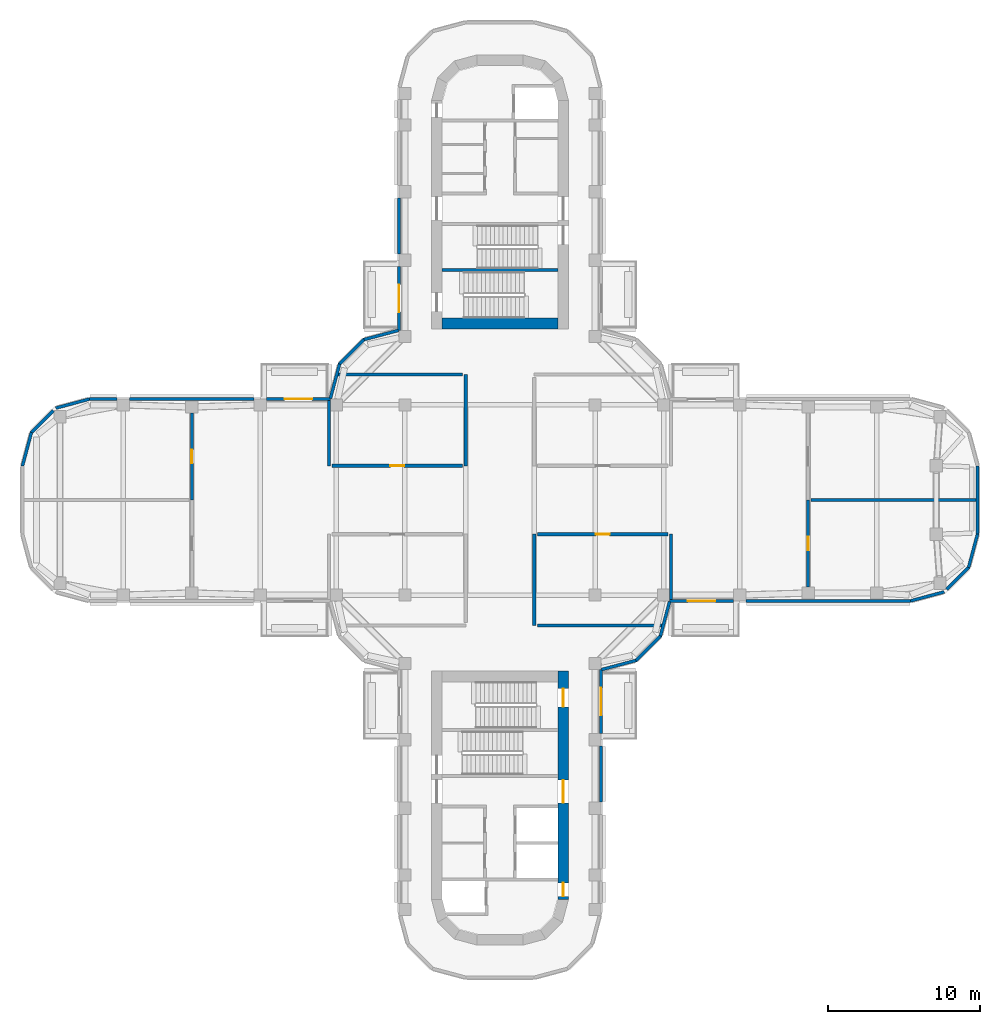
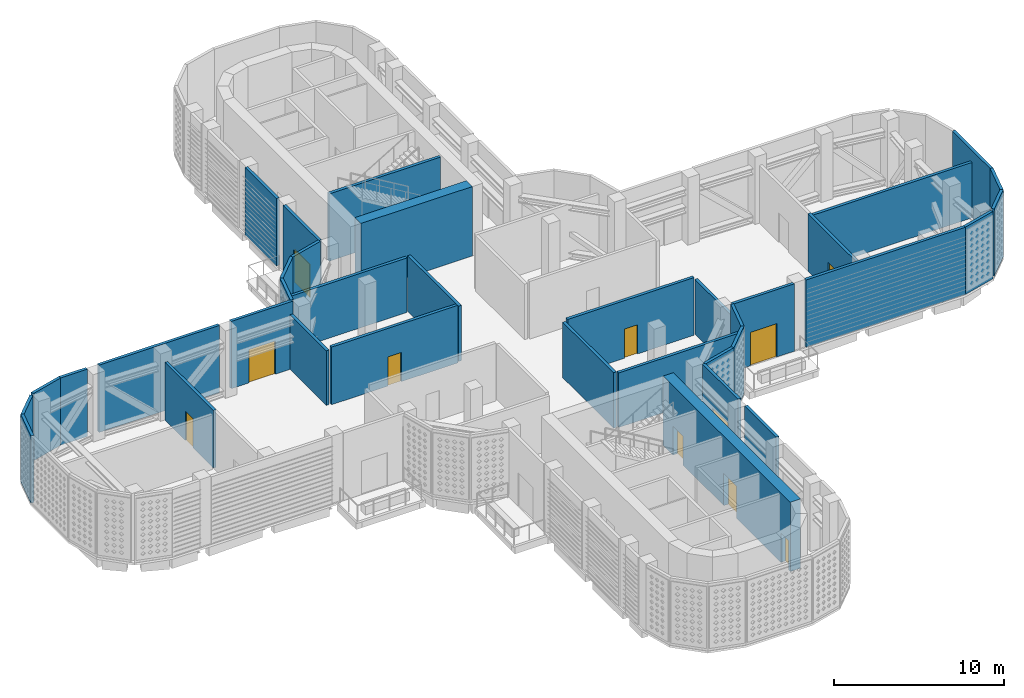
# One storey, part 6 of 21: 36 walls, 11 doors, 11 openings.
"""IFC4 building model written with IfcOpenShell, lengths in metres."""

from ifc_helpers import new_model, si_unit, direction, frame, frame_2d, origin, place, context, subcontext, project, spatial, polyline, rectangle, outline, extrude, material, layer, layer_set, type_object, element, fill, save


model = new_model("IFC4")

# Units and contexts
model_context = context("Model", 3, precision=1e-05, world=origin(), true_north=direction((0.0, 1.0)))
body_context = subcontext(model_context, "Body", "Model", "MODEL_VIEW")
ifc_project = project(units=[si_unit("LENGTHUNIT", "METRE"), si_unit("AREAUNIT", "SQUARE_METRE"), si_unit("VOLUMEUNIT", "CUBIC_METRE"), si_unit("PLANEANGLEUNIT", "RADIAN"), si_unit("MASSUNIT", "GRAM", prefix="KILO")], contexts=[model_context])

# Site, building, storey
site_placement = place(None, origin())
site = spatial("IfcSite", under=ifc_project, at=site_placement, CompositionType="ELEMENT")
building_placement = place(site_placement, origin())
building = spatial("IfcBuilding", under=site, at=building_placement, Name="Zarbagh Exchange Tower", CompositionType="ELEMENT")
storey_placement = place(building_placement, frame((0.0, 0.0, 190.39990234375)))
storey = spatial("IfcBuildingStorey", under=building, at=storey_placement, Name="L46", CompositionType="ELEMENT", Elevation=190.39990234375)

# Walls
ifc_material_1 = material(Name="Concrete block partition", Category="concrete")
ifc_layer_1 = layer(ifc_material_1, 0.199951171875)
ifc_layer_set_1 = layer_set([ifc_layer_1], Name="Fire-rated block partition 200 EI 120")
wall_type_1 = type_object("IfcWallType", Name="Fire-rated block partition 200 EI 120", PredefinedType="PARTITIONING", material=ifc_layer_set_1)
wall_1_placement = place(storey_placement, frame((31.5, 0.0, 0.0), z_axis=(0.0, 0.0, 1.0), x_axis=(-1.0, 0.0, 0.0)))
element("IfcWall", 1, at=wall_1_placement, inside=storey, type_object=wall_type_1, Name="WL-L46-W019", PredefinedType="PARTITIONING", context=body_context, shape_type="SweptSolid", body=[
    extrude(rectangle(XDim=11.050048828125, YDim=0.199951171875, at=frame_2d((5.52490234375, 0.0))), origin(), (0.0, 0.0, 1.0), 3.994384765625),
])
ifc_layer_2 = layer(ifc_material_1, 0.199951171875)
ifc_layer_set_2 = layer_set([ifc_layer_2], Name="Fire-rated block partition 200 EI 60")
wall_type_2 = type_object("IfcWallType", Name="Fire-rated block partition 200 EI 60", PredefinedType="PARTITIONING", material=ifc_layer_set_2)
wall_2_placement = place(storey_placement, frame((2.25, -2.25, 0.0), z_axis=(0.0, 0.0, 1.0), x_axis=(0.0, -1.0, 0.0)))
element("IfcWall", 2, at=wall_2_placement, inside=storey, type_object=wall_type_2, Name="WL-L46-W003", PredefinedType="PARTITIONING", context=body_context, shape_type="SweptSolid", body=[
    extrude(rectangle(XDim=6.0, YDim=0.199951171875, at=frame_2d((3.0, 0.0))), origin(), (0.0, 0.0, 1.0), 3.994384765625),
])
wall_3_placement = place(storey_placement, frame((2.449951171875, -8.25, 0.0), z_axis=(0.0, 0.0, 1.0), x_axis=(1.0, 0.0, 0.0)))
element("IfcWall", 3, at=wall_3_placement, inside=storey, type_object=wall_type_2, Name="WL-L46-W004", PredefinedType="PARTITIONING", context=body_context, shape_type="SweptSolid", body=[
    extrude(rectangle(XDim=8.398193359375, YDim=0.199951171875, at=frame_2d((4.19921875, 0.0))), origin(), (0.0, 0.0, 1.0), 3.93017578125),
])
wall_4_placement = place(storey_placement, frame((-2.25, 2.25, 0.0), z_axis=(0.0, 0.0, 1.0), x_axis=(0.0, 1.0, 0.0)))
element("IfcWall", 4, at=wall_4_placement, inside=storey, type_object=wall_type_2, Name="WL-L46-W005", PredefinedType="PARTITIONING", context=body_context, shape_type="SweptSolid", body=[
    extrude(rectangle(XDim=6.0, YDim=0.199951171875, at=frame_2d((3.0, 0.0))), origin(), (0.0, 0.0, 1.0), 3.994384765625),
])
wall_5_placement = place(storey_placement, frame((-2.449951171875, 8.25, 0.0), z_axis=(0.0, 0.0, 1.0), x_axis=(-1.0, 0.0, 0.0)))
element("IfcWall", 5, at=wall_5_placement, inside=storey, type_object=wall_type_2, Name="WL-L46-W006", PredefinedType="PARTITIONING", context=body_context, shape_type="SweptSolid", body=[
    extrude(rectangle(XDim=8.398193359375, YDim=0.199951171875, at=frame_2d((4.19921875, 0.0))), origin(), (0.0, 0.0, 1.0), 3.93017578125),
])
wall_6_placement = place(storey_placement, frame((11.25, -2.25, 0.0), z_axis=(0.0, 0.0, 1.0), x_axis=(0.0, -1.0, 0.0)))
element("IfcWall", 6, at=wall_6_placement, inside=storey, type_object=wall_type_2, Name="WL-L46-W011", PredefinedType="PARTITIONING", context=body_context, shape_type="SweptSolid", body=[
    extrude(rectangle(XDim=4.5, YDim=0.199951171875, at=frame_2d((2.25, 0.0))), origin(), (0.0, 0.0, 1.0), 3.93017578125),
])

# Wall, opening, door
wall_7_placement = place(storey_placement, frame((11.050048828125, -2.25, 0.0), z_axis=(0.0, 0.0, 1.0), x_axis=(-1.0, 0.0, 0.0)))
wall_7 = element("IfcWall", 7, at=wall_7_placement, inside=storey, type_object=wall_type_2, Name="WL-L46-W012", PredefinedType="PARTITIONING", context=body_context, shape_type="SweptSolid", body=[
    extrude(rectangle(XDim=8.60009765625, YDim=0.199951171875, at=frame_2d((4.300048828125, 0.0))), origin(), (0.0, 0.0, 1.0), 4.15185546875),
])
opening_1_placement = place(wall_7_placement, frame((3.85009765625, 0.0, 0.0)))
opening_1 = element("IfcOpeningElement", 8, at=opening_1_placement, cuts=wall_7, Name="Opening D02", PredefinedType="OPENING", context=body_context, shape_type="SweptSolid", body=[
    extrude(rectangle(XDim=0.89990234375, YDim=2.10009765625, at=frame_2d((0.449951171875, 1.050048828125))), frame((0.0, 0.10986328125, 0.0), z_axis=(0.0, -1.0, 0.0), x_axis=(1.0, 0.0, 0.0)), (0.0, 0.0, 1.0), 0.219970703125),
])
ifc_material_2 = material(Name="Steel door set", Category="steel")
door_type_1 = type_object("IfcDoorType", Name="Door single 900x2100 EI 60", OperationType="SINGLE_SWING_LEFT", PredefinedType="DOOR", material=ifc_material_2)
door_1_placement = place(opening_1_placement, origin())
door_1 = element("IfcDoor", 9, at=door_1_placement, inside=storey, type_object=door_type_1, Name="D02", OperationType="SINGLE_SWING_LEFT", OverallHeight=2.10009765625, OverallWidth=0.89990234375, PredefinedType="DOOR", context=body_context, shape_type="SweptSolid", body=[
    extrude(rectangle(XDim=0.89990234375, YDim=2.10009765625, at=frame_2d((0.449951171875, 1.050048828125))), frame((0.0, 0.02490234375, 0.0), z_axis=(0.0, -1.0, 0.0), x_axis=(1.0, 0.0, 0.0)), (0.0, 0.0, 1.0), 0.050048828125),
])
fill(opening_1, door_1)

# Wall
wall_8_placement = place(storey_placement, frame((-11.25, 2.25, 0.0), z_axis=(0.0, 0.0, 1.0), x_axis=(0.0, 1.0, 0.0)))
element("IfcWall", 10, at=wall_8_placement, inside=storey, type_object=wall_type_2, Name="WL-L46-W013", PredefinedType="PARTITIONING", context=body_context, shape_type="SweptSolid", body=[
    extrude(rectangle(XDim=4.5, YDim=0.199951171875, at=frame_2d((2.25, 0.0))), origin(), (0.0, 0.0, 1.0), 3.93017578125),
])

# Wall, opening, door
wall_9_placement = place(storey_placement, frame((-11.050048828125, 2.25, 0.0), z_axis=(0.0, 0.0, 1.0), x_axis=(1.0, 0.0, 0.0)))
wall_9 = element("IfcWall", 11, at=wall_9_placement, inside=storey, type_object=wall_type_2, Name="WL-L46-W014", PredefinedType="PARTITIONING", context=body_context, shape_type="SweptSolid", body=[
    extrude(rectangle(XDim=8.60009765625, YDim=0.199951171875, at=frame_2d((4.300048828125, 0.0))), origin(), (0.0, 0.0, 1.0), 4.15185546875),
])
opening_2_placement = place(wall_9_placement, frame((3.85009765625, 0.0, 0.0)))
opening_2 = element("IfcOpeningElement", 12, at=opening_2_placement, cuts=wall_9, Name="Opening D03", PredefinedType="OPENING", context=body_context, shape_type="SweptSolid", body=[
    extrude(rectangle(XDim=0.89990234375, YDim=2.10009765625, at=frame_2d((0.449951171875, 1.050048828125))), frame((0.0, 0.10986328125, 0.0), z_axis=(0.0, -1.0, 0.0), x_axis=(1.0, 0.0, 0.0)), (0.0, 0.0, 1.0), 0.219970703125),
])
door_2_placement = place(opening_2_placement, origin())
door_2 = element("IfcDoor", 13, at=door_2_placement, inside=storey, type_object=door_type_1, Name="D03", OperationType="SINGLE_SWING_LEFT", OverallHeight=2.10009765625, OverallWidth=0.89990234375, PredefinedType="DOOR", context=body_context, shape_type="SweptSolid", body=[
    extrude(rectangle(XDim=0.89990234375, YDim=2.10009765625, at=frame_2d((0.449951171875, 1.050048828125))), frame((0.0, 0.02490234375, 0.0), z_axis=(0.0, -1.0, 0.0), x_axis=(1.0, 0.0, 0.0)), (0.0, 0.0, 1.0), 0.050048828125),
])
fill(opening_2, door_2)

wall_10_placement = place(storey_placement, frame((20.25, 0.0, 0.0), z_axis=(0.0, 0.0, 1.0), x_axis=(0.0, -1.0, 0.0)))
wall_10 = element("IfcWall", 14, at=wall_10_placement, inside=storey, type_object=wall_type_2, Name="WL-L46-W018", PredefinedType="PARTITIONING", context=body_context, shape_type="SweptSolid", body=[
    extrude(rectangle(XDim=5.7099609375, YDim=0.199951171875, at=frame_2d((2.85498046875, 0.0))), origin(), (0.0, 0.0, 1.0), 4.15185546875),
])
opening_3_placement = place(wall_10_placement, frame((2.405029296875, 0.0, 0.0)))
opening_3 = element("IfcOpeningElement", 15, at=opening_3_placement, cuts=wall_10, Name="Opening D06", PredefinedType="OPENING", context=body_context, shape_type="SweptSolid", body=[
    extrude(rectangle(XDim=0.89990234375, YDim=2.10009765625, at=frame_2d((0.449951171875, 1.050048828125))), frame((0.0, 0.10986328125, 0.0), z_axis=(0.0, -1.0, 0.0), x_axis=(1.0, 0.0, 0.0)), (0.0, 0.0, 1.0), 0.219970703125),
])
door_3_placement = place(opening_3_placement, origin())
door_3 = element("IfcDoor", 16, at=door_3_placement, inside=storey, type_object=door_type_1, Name="D06", OperationType="SINGLE_SWING_LEFT", OverallHeight=2.10009765625, OverallWidth=0.89990234375, PredefinedType="DOOR", context=body_context, shape_type="SweptSolid", body=[
    extrude(rectangle(XDim=0.89990234375, YDim=2.10009765625, at=frame_2d((0.449951171875, 1.050048828125))), frame((0.0, 0.02490234375, 0.0), z_axis=(0.0, -1.0, 0.0), x_axis=(1.0, 0.0, 0.0)), (0.0, 0.0, 1.0), 0.050048828125),
])
fill(opening_3, door_3)

wall_11_placement = place(storey_placement, frame((-20.25, 0.0, 0.0), z_axis=(0.0, 0.0, 1.0), x_axis=(0.0, 1.0, 0.0)))
wall_11 = element("IfcWall", 17, at=wall_11_placement, inside=storey, type_object=wall_type_2, Name="WL-L46-W020", PredefinedType="PARTITIONING", context=body_context, shape_type="SweptSolid", body=[
    extrude(rectangle(XDim=5.7099609375, YDim=0.199951171875, at=frame_2d((2.85498046875, 0.0))), origin(), (0.0, 0.0, 1.0), 4.15185546875),
])
opening_4_placement = place(wall_11_placement, frame((2.405029296875, 0.0, 0.0)))
opening_4 = element("IfcOpeningElement", 18, at=opening_4_placement, cuts=wall_11, Name="Opening D46", PredefinedType="OPENING", context=body_context, shape_type="SweptSolid", body=[
    extrude(rectangle(XDim=0.89990234375, YDim=2.10009765625, at=frame_2d((0.449951171875, 1.050048828125))), frame((0.0, 0.10986328125, 0.0), z_axis=(0.0, -1.0, 0.0), x_axis=(1.0, 0.0, 0.0)), (0.0, 0.0, 1.0), 0.219970703125),
])
door_4_placement = place(opening_4_placement, origin())
door_4 = element("IfcDoor", 19, at=door_4_placement, inside=storey, type_object=door_type_1, Name="D07", OperationType="SINGLE_SWING_LEFT", OverallHeight=2.10009765625, OverallWidth=0.89990234375, PredefinedType="DOOR", context=body_context, shape_type="SweptSolid", body=[
    extrude(rectangle(XDim=0.89990234375, YDim=2.10009765625, at=frame_2d((0.449951171875, 1.050048828125))), frame((0.0, 0.02490234375, 0.0), z_axis=(0.0, -1.0, 0.0), x_axis=(1.0, 0.0, 0.0)), (0.0, 0.0, 1.0), 0.050048828125),
])
fill(opening_4, door_4)

# Walls
ifc_material_3 = material(Name="Precast concrete C50/60", Category="concrete")
ifc_layer_3 = layer(ifc_material_3, 0.199951171875)
ifc_layer_set_3 = layer_set([ifc_layer_3], Name="Plant wall, precast concrete C50/60")
wall_type_3 = type_object("IfcWallType", Name="Plant wall, precast concrete C50/60", PredefinedType="SOLIDWALL", material=ifc_layer_set_3)
wall_12_placement = place(storey_placement, origin())
element("IfcWall", 20, at=wall_12_placement, inside=storey, type_object=wall_type_3, Name="PW70 plant wall", PredefinedType="SOLIDWALL", context=body_context, shape_type="SweptSolid", body=[
    extrude(outline(polyline([(6.72998046875, -19.85009765625), (6.72998046875, -16.14990234375), (6.530029296875, -16.14990234375), (6.530029296875, -19.85009765625), (6.72998046875, -19.85009765625)])), origin(), (0.0, 0.0, 1.0), 4.85009765625),
])
wall_13_placement = place(storey_placement, origin())
element("IfcWall", 21, at=wall_13_placement, inside=storey, type_object=wall_type_3, Name="PW05 plant wall", PredefinedType="SOLIDWALL", context=body_context, shape_type="SweptSolid", body=[
    extrude(outline(polyline([(6.702392578125, -11.241943359375), (8.98974609375, -10.629150390625), (8.88623046875, -10.449951171875), (6.650634765625, -11.048828125), (6.702392578125, -11.241943359375)])), origin(), (0.0, 0.0, 1.0), 4.85009765625),
])
wall_14_placement = place(storey_placement, origin())
element("IfcWall", 22, at=wall_14_placement, inside=storey, type_object=wall_type_3, Name="PW06 plant wall", PredefinedType="SOLIDWALL", context=body_context, shape_type="SweptSolid", body=[
    extrude(outline(polyline([(8.98974609375, -10.629150390625), (10.629150390625, -8.98974609375), (10.449951171875, -8.88623046875), (8.88623046875, -10.449951171875), (8.98974609375, -10.629150390625)])), origin(), (0.0, 0.0, 1.0), 4.85009765625),
])
wall_15_placement = place(storey_placement, origin())
element("IfcWall", 23, at=wall_15_placement, inside=storey, type_object=wall_type_3, Name="PW07 plant wall", PredefinedType="SOLIDWALL", context=body_context, shape_type="SweptSolid", body=[
    extrude(outline(polyline([(10.629150390625, -8.98974609375), (11.241943359375, -6.702392578125), (11.048828125, -6.650634765625), (10.449951171875, -8.88623046875), (10.629150390625, -8.98974609375)])), origin(), (0.0, 0.0, 1.0), 4.85009765625),
])
wall_16_placement = place(storey_placement, origin())
element("IfcWall", 24, at=wall_16_placement, inside=storey, type_object=wall_type_3, Name="PW49 plant wall", PredefinedType="SOLIDWALL", context=body_context, shape_type="SweptSolid", body=[
    extrude(outline(polyline([(16.14990234375, -6.72998046875), (26.997314453125, -6.72998046875), (26.970947265625, -6.530029296875), (16.14990234375, -6.530029296875), (16.14990234375, -6.72998046875)])), origin(), (0.0, 0.0, 1.0), 4.85009765625),
])
wall_17_placement = place(storey_placement, origin())
element("IfcWall", 25, at=wall_17_placement, inside=storey, type_object=wall_type_3, Name="PW50 plant wall", PredefinedType="SOLIDWALL", context=body_context, shape_type="SweptSolid", body=[
    extrude(outline(polyline([(26.997314453125, -6.72998046875), (29.23974609375, -6.129150390625), (29.13623046875, -5.949951171875), (26.970947265625, -6.530029296875), (26.997314453125, -6.72998046875)])), origin(), (0.0, 0.0, 1.0), 4.85009765625),
])
wall_18_placement = place(storey_placement, origin())
element("IfcWall", 26, at=wall_18_placement, inside=storey, type_object=wall_type_3, Name="PW51 plant wall", PredefinedType="SOLIDWALL", context=body_context, shape_type="SweptSolid", body=[
    extrude(outline(polyline([(29.418701171875, -5.9501953125), (30.879150390625, -4.48974609375), (30.699951171875, -4.38623046875), (29.27734375, -5.80859375), (29.418701171875, -5.9501953125)])), origin(), (0.0, 0.0, 1.0), 4.85009765625),
])
wall_19_placement = place(storey_placement, origin())
element("IfcWall", 27, at=wall_19_placement, inside=storey, type_object=wall_type_3, Name="PW52 plant wall", PredefinedType="SOLIDWALL", context=body_context, shape_type="SweptSolid", body=[
    extrude(outline(polyline([(30.879150390625, -4.48974609375), (31.47998046875, -2.247314453125), (31.280029296875, -2.220947265625), (30.699951171875, -4.38623046875), (30.879150390625, -4.48974609375)])), origin(), (0.0, 0.0, 1.0), 4.85009765625),
])
wall_20_placement = place(storey_placement, origin())
element("IfcWall", 28, at=wall_20_placement, inside=storey, type_object=wall_type_3, Name="PW53 plant wall", PredefinedType="SOLIDWALL", context=body_context, shape_type="SweptSolid", body=[
    extrude(outline(polyline([(31.47998046875, -2.247314453125), (31.47998046875, 2.247314453125), (31.280029296875, 2.220947265625), (31.280029296875, -2.220947265625), (31.47998046875, -2.247314453125)])), origin(), (0.0, 0.0, 1.0), 4.85009765625),
])
wall_21_placement = place(storey_placement, origin())
element("IfcWall", 29, at=wall_21_placement, inside=storey, type_object=wall_type_3, Name="PW66 plant wall", PredefinedType="SOLIDWALL", context=body_context, shape_type="SweptSolid", body=[
    extrude(outline(polyline([(-6.72998046875, 19.85009765625), (-6.72998046875, 16.14990234375), (-6.530029296875, 16.14990234375), (-6.530029296875, 19.85009765625), (-6.72998046875, 19.85009765625)])), origin(), (0.0, 0.0, 1.0), 4.85009765625),
])
wall_22_placement = place(storey_placement, origin())
element("IfcWall", 30, at=wall_22_placement, inside=storey, type_object=wall_type_3, Name="PW29 plant wall", PredefinedType="SOLIDWALL", context=body_context, shape_type="SweptSolid", body=[
    extrude(outline(polyline([(-6.702392578125, 11.241943359375), (-8.98974609375, 10.629150390625), (-8.88623046875, 10.449951171875), (-6.650634765625, 11.048828125), (-6.702392578125, 11.241943359375)])), origin(), (0.0, 0.0, 1.0), 4.85009765625),
])
wall_23_placement = place(storey_placement, origin())
element("IfcWall", 31, at=wall_23_placement, inside=storey, type_object=wall_type_3, Name="PW30 plant wall", PredefinedType="SOLIDWALL", context=body_context, shape_type="SweptSolid", body=[
    extrude(outline(polyline([(-8.98974609375, 10.629150390625), (-10.629150390625, 8.98974609375), (-10.449951171875, 8.88623046875), (-8.88623046875, 10.449951171875), (-8.98974609375, 10.629150390625)])), origin(), (0.0, 0.0, 1.0), 4.85009765625),
])
wall_24_placement = place(storey_placement, origin())
element("IfcWall", 32, at=wall_24_placement, inside=storey, type_object=wall_type_3, Name="PW31 plant wall", PredefinedType="SOLIDWALL", context=body_context, shape_type="SweptSolid", body=[
    extrude(outline(polyline([(-10.629150390625, 8.98974609375), (-11.241943359375, 6.702392578125), (-11.048828125, 6.650634765625), (-10.449951171875, 8.88623046875), (-10.629150390625, 8.98974609375)])), origin(), (0.0, 0.0, 1.0), 4.85009765625),
])
wall_25_placement = place(storey_placement, origin())
element("IfcWall", 33, at=wall_25_placement, inside=storey, type_object=wall_type_3, Name="PW71 plant wall", PredefinedType="SOLIDWALL", context=body_context, shape_type="SweptSolid", body=[
    extrude(outline(polyline([(-16.14990234375, 6.72998046875), (-24.35009765625, 6.72998046875), (-24.35009765625, 6.530029296875), (-16.14990234375, 6.530029296875), (-16.14990234375, 6.72998046875)])), origin(), (0.0, 0.0, 1.0), 4.85009765625),
])
wall_26_placement = place(storey_placement, origin())
element("IfcWall", 34, at=wall_26_placement, inside=storey, type_object=wall_type_3, Name="PW71 plant wall", PredefinedType="SOLIDWALL", context=body_context, shape_type="SweptSolid", body=[
    extrude(outline(polyline([(-25.14990234375, 6.72998046875), (-26.997314453125, 6.72998046875), (-26.970947265625, 6.530029296875), (-25.14990234375, 6.530029296875), (-25.14990234375, 6.72998046875)])), origin(), (0.0, 0.0, 1.0), 4.85009765625),
])
wall_27_placement = place(storey_placement, origin())
element("IfcWall", 35, at=wall_27_placement, inside=storey, type_object=wall_type_3, Name="PW72 plant wall", PredefinedType="SOLIDWALL", context=body_context, shape_type="SweptSolid", body=[
    extrude(outline(polyline([(-26.997314453125, 6.72998046875), (-29.23974609375, 6.129150390625), (-29.13623046875, 5.949951171875), (-26.970947265625, 6.530029296875), (-26.997314453125, 6.72998046875)])), origin(), (0.0, 0.0, 1.0), 4.85009765625),
])
wall_28_placement = place(storey_placement, origin())
element("IfcWall", 36, at=wall_28_placement, inside=storey, type_object=wall_type_3, Name="PW73 plant wall", PredefinedType="SOLIDWALL", context=body_context, shape_type="SweptSolid", body=[
    extrude(outline(polyline([(-29.418701171875, 5.9501953125), (-30.879150390625, 4.48974609375), (-30.699951171875, 4.38623046875), (-29.27734375, 5.80859375), (-29.418701171875, 5.9501953125)])), origin(), (0.0, 0.0, 1.0), 4.85009765625),
])
wall_29_placement = place(storey_placement, origin())
element("IfcWall", 37, at=wall_29_placement, inside=storey, type_object=wall_type_3, Name="PW74 plant wall", PredefinedType="SOLIDWALL", context=body_context, shape_type="SweptSolid", body=[
    extrude(outline(polyline([(-30.879150390625, 4.48974609375), (-31.47998046875, 2.247314453125), (-31.280029296875, 2.220947265625), (-30.699951171875, 4.38623046875), (-30.879150390625, 4.48974609375)])), origin(), (0.0, 0.0, 1.0), 4.85009765625),
])
ifc_material_4 = material(Name="Concrete C50/60", Category="concrete")
ifc_layer_4 = layer(ifc_material_4, 0.699951171875)
ifc_layer_set_4 = layer_set([ifc_layer_4], Name="RC core wall 700 C50/60")
wall_type_4 = type_object("IfcWallType", Name="RC core wall 700 C50/60", PredefinedType="SHEAR", material=ifc_layer_set_4)
wall_30_placement = place(storey_placement, frame((-3.800048828125, 11.60009765625, 0.0), z_axis=(0.0, 0.0, 1.0), x_axis=(1.0, 0.0, 0.0)))
element("IfcWall", 38, at=wall_30_placement, inside=storey, type_object=wall_type_4, Name="CW5 core N inner end", PredefinedType="SHEAR", context=body_context, shape_type="SweptSolid", body=[
    extrude(rectangle(XDim=7.60009765625, YDim=0.699951171875, at=frame_2d((3.800048828125, 0.0))), origin(), (0.0, 0.0, 1.0), 5.0),
])

# Wall, openings, doors
wall_31_placement = place(storey_placement, frame((4.14990234375, -11.25, 0.0), z_axis=(0.0, 0.0, 1.0), x_axis=(0.0, -1.0, 0.0)))
wall_31 = element("IfcWall", 39, at=wall_31_placement, inside=storey, type_object=wall_type_4, Name="CW5 core S E", PredefinedType="SHEAR", context=body_context, shape_type="SweptSolid", body=[
    extrude(rectangle(XDim=15.0, YDim=0.699951171875, at=frame_2d((7.5, 0.0))), origin(), (0.0, 0.0, 1.0), 5.0),
])
opening_5_placement = place(wall_31_placement, frame((7.14990234375, 0.0, 0.0)))
opening_5 = element("IfcOpeningElement", 40, at=opening_5_placement, cuts=wall_31, Name="Opening CD1-1500", PredefinedType="OPENING", context=body_context, shape_type="SweptSolid", body=[
    extrude(rectangle(XDim=1.5, YDim=2.300048828125, at=frame_2d((0.75, 1.14990234375))), frame((0.0, 0.35986328125, 0.0), z_axis=(0.0, -1.0, 0.0), x_axis=(1.0, 0.0, 0.0)), (0.0, 0.0, 1.0), 0.719970703125),
])
opening_6_placement = place(wall_31_placement, frame((13.89990234375, 0.0, 0.0)))
opening_6 = element("IfcOpeningElement", 41, at=opening_6_placement, cuts=wall_31, Name="Opening CD2-900", PredefinedType="OPENING", context=body_context, shape_type="SweptSolid", body=[
    extrude(rectangle(XDim=0.89990234375, YDim=2.10009765625, at=frame_2d((0.449951171875, 1.050048828125))), frame((0.0, 0.35986328125, 0.0), z_axis=(0.0, -1.0, 0.0), x_axis=(1.0, 0.0, 0.0)), (0.0, 0.0, 1.0), 0.719970703125),
])
opening_7_placement = place(wall_31_placement, frame((1.14990234375, 0.0, 0.0)))
opening_7 = element("IfcOpeningElement", 42, at=opening_7_placement, cuts=wall_31, Name="Opening SD1-1200", PredefinedType="OPENING", context=body_context, shape_type="SweptSolid", body=[
    extrude(rectangle(XDim=1.199951171875, YDim=2.10009765625, at=frame_2d((0.60009765625, 1.050048828125))), frame((0.0, 0.35986328125, 0.0), z_axis=(0.0, -1.0, 0.0), x_axis=(1.0, 0.0, 0.0)), (0.0, 0.0, 1.0), 0.719970703125),
])
ifc_material_5 = material(Name="Steel", Category="steel")
door_type_2 = type_object("IfcDoorType", Name="Exit stair door 1200 x 2100", OperationType="NOTDEFINED", PredefinedType="DOOR", material=ifc_material_5)
door_5_placement = place(opening_7_placement, origin())
door_5 = element("IfcDoor", 43, at=door_5_placement, inside=storey, type_object=door_type_2, Name="South core stair door ST2", OperationType="SINGLE_SWING_LEFT", OverallHeight=2.10009765625, OverallWidth=1.199951171875, PredefinedType="DOOR", context=body_context, shape_type="SweptSolid", body=[
    extrude(rectangle(XDim=1.199951171875, YDim=2.10009765625, at=frame_2d((0.60009765625, 1.050048828125))), frame((0.0, 0.02490234375, 0.0), z_axis=(0.0, -1.0, 0.0), x_axis=(1.0, 0.0, 0.0)), (0.0, 0.0, 1.0), 0.050048828125),
])
fill(opening_7, door_5)
door_type_3 = type_object("IfcDoorType", Name="Firefighting lobby door 900 x 2100", OperationType="NOTDEFINED", PredefinedType="DOOR", material=ifc_material_5)
door_6_placement = place(opening_6_placement, origin())
door_6 = element("IfcDoor", 44, at=door_6_placement, inside=storey, type_object=door_type_3, Name="South core firefighting lobby door FF-W", OperationType="SINGLE_SWING_RIGHT", OverallHeight=2.10009765625, OverallWidth=0.89990234375, PredefinedType="DOOR", context=body_context, shape_type="SweptSolid", body=[
    extrude(rectangle(XDim=0.89990234375, YDim=2.10009765625, at=frame_2d((0.449951171875, 1.050048828125))), frame((0.0, 0.02490234375, 0.0), z_axis=(0.0, -1.0, 0.0), x_axis=(1.0, 0.0, 0.0)), (0.0, 0.0, 1.0), 0.050048828125),
])
fill(opening_6, door_6)
door_type_4 = type_object("IfcDoorType", Name="Lift lobby double door 1500 x 2300", OperationType="NOTDEFINED", PredefinedType="DOOR", material=ifc_material_5)
door_7_placement = place(opening_5_placement, origin())
door_7 = element("IfcDoor", 45, at=door_7_placement, inside=storey, type_object=door_type_4, Name="South core lift lobby door LOBBY-W", OperationType="DOUBLE_DOOR_SINGLE_SWING", OverallHeight=2.300048828125, OverallWidth=1.5, PredefinedType="DOOR", context=body_context, shape_type="SweptSolid", body=[
    extrude(rectangle(XDim=1.5, YDim=2.300048828125, at=frame_2d((0.75, 1.14990234375))), frame((0.0, 0.02490234375, 0.0), z_axis=(0.0, -1.0, 0.0), x_axis=(1.0, 0.0, 0.0)), (0.0, 0.0, 1.0), 0.050048828125),
])
fill(opening_5, door_7)

# Wall
ifc_material_6 = material(Name="Concrete C40/50", Category="concrete")
ifc_layer_5 = layer(ifc_material_6, 0.199951171875)
ifc_layer_set_5 = layer_set([ifc_layer_5], Name="Stair enclosure wall 200 mm RC C40/50")
wall_type_5 = type_object("IfcWallType", Name="Stair enclosure wall 200 mm RC C40/50", PredefinedType="SHEAR", material=ifc_layer_set_5)
wall_32_placement = place(storey_placement, frame((-3.800048828125, 15.10009765625, 0.0), z_axis=(0.0, 0.0, 1.0), x_axis=(1.0, 0.0, 0.0)))
element("IfcWall", 46, at=wall_32_placement, inside=storey, type_object=wall_type_5, Name="North core stair wall ST12", PredefinedType="SHEAR", context=body_context, shape_type="SweptSolid", body=[
    extrude(rectangle(XDim=7.60009765625, YDim=0.199951171875, at=frame_2d((3.800048828125, 0.0))), origin(), (0.0, 0.0, 1.0), 4.85009765625),
])

# Wall, opening, door
ifc_layer_6 = layer(ifc_material_3, 0.199951171875)
ifc_layer_set_6 = layer_set([ifc_layer_6], Name="Terrace door wall, precast concrete C50/60")
wall_type_6 = type_object("IfcWallType", Name="Terrace door wall, precast concrete C50/60", PredefinedType="SOLIDWALL", material=ifc_layer_set_6)
wall_33_placement = place(storey_placement, frame((6.6298828125, -15.35009765625, 0.0), z_axis=(0.0, 0.0, 1.0), x_axis=(0.0, 1.0, 0.0)))
wall_33 = element("IfcWall", 47, at=wall_33_placement, inside=storey, type_object=wall_type_6, Name="TW50 door wall", PredefinedType="SOLIDWALL", context=body_context, shape_type="SweptSolid", body=[
    extrude(rectangle(XDim=4.2001953125, YDim=0.199951171875, at=frame_2d((2.10009765625, 0.0))), origin(), (0.0, 0.0, 1.0), 4.85009765625),
])
opening_8_placement = place(wall_33_placement, frame((1.199951171875, 0.0, 0.0)))
opening_8 = element("IfcOpeningElement", 48, at=opening_8_placement, cuts=wall_33, Name="Opening TD02", PredefinedType="OPENING", context=body_context, shape_type="SweptSolid", body=[
    extrude(rectangle(XDim=1.800048828125, YDim=2.39990234375, at=frame_2d((0.89990234375, 1.199951171875))), frame((0.0, 0.10986328125, 0.0), z_axis=(0.0, -1.0, 0.0), x_axis=(1.0, 0.0, 0.0)), (0.0, 0.0, 1.0), 0.219970703125),
])
ifc_material_7 = material(Name="Anodised aluminium and glass", Category="aluminium")
door_type_5 = type_object("IfcDoorType", Name="Terrace door, double leaf, aluminium and glass", OperationType="DOUBLE_DOOR_DOUBLE_SWING", PredefinedType="DOOR", material=ifc_material_7)
door_8_placement = place(opening_8_placement, origin())
door_8 = element("IfcDoor", 49, at=door_8_placement, inside=storey, type_object=door_type_5, Name="TD02 terrace door", OperationType="SINGLE_SWING_LEFT", OverallHeight=2.39990234375, OverallWidth=1.800048828125, PredefinedType="DOOR", context=body_context, shape_type="SweptSolid", body=[
    extrude(rectangle(XDim=1.800048828125, YDim=2.39990234375, at=frame_2d((0.89990234375, 1.199951171875))), frame((0.0, 0.02490234375, 0.0), z_axis=(0.0, -1.0, 0.0), x_axis=(1.0, 0.0, 0.0)), (0.0, 0.0, 1.0), 0.050048828125),
])
fill(opening_8, door_8)

wall_34_placement = place(storey_placement, frame((11.14990234375, -6.6298828125, 0.0), z_axis=(0.0, 0.0, 1.0), x_axis=(1.0, 0.0, 0.0)))
wall_34 = element("IfcWall", 50, at=wall_34_placement, inside=storey, type_object=wall_type_6, Name="TW44 door wall", PredefinedType="SOLIDWALL", context=body_context, shape_type="SweptSolid", body=[
    extrude(rectangle(XDim=4.2001953125, YDim=0.199951171875, at=frame_2d((2.10009765625, 0.0))), origin(), (0.0, 0.0, 1.0), 4.85009765625),
])
opening_9_placement = place(wall_34_placement, frame((1.199951171875, 0.0, 0.0)))
opening_9 = element("IfcOpeningElement", 51, at=opening_9_placement, cuts=wall_34, Name="Opening TD02", PredefinedType="OPENING", context=body_context, shape_type="SweptSolid", body=[
    extrude(rectangle(XDim=1.800048828125, YDim=2.39990234375, at=frame_2d((0.89990234375, 1.199951171875))), frame((0.0, 0.10986328125, 0.0), z_axis=(0.0, -1.0, 0.0), x_axis=(1.0, 0.0, 0.0)), (0.0, 0.0, 1.0), 0.219970703125),
])
door_9_placement = place(opening_9_placement, origin())
door_9 = element("IfcDoor", 52, at=door_9_placement, inside=storey, type_object=door_type_5, Name="TD02 terrace door", OperationType="SINGLE_SWING_LEFT", OverallHeight=2.39990234375, OverallWidth=1.800048828125, PredefinedType="DOOR", context=body_context, shape_type="SweptSolid", body=[
    extrude(rectangle(XDim=1.800048828125, YDim=2.39990234375, at=frame_2d((0.89990234375, 1.199951171875))), frame((0.0, 0.02490234375, 0.0), z_axis=(0.0, -1.0, 0.0), x_axis=(1.0, 0.0, 0.0)), (0.0, 0.0, 1.0), 0.050048828125),
])
fill(opening_9, door_9)

wall_35_placement = place(storey_placement, frame((-6.6298828125, 15.35009765625, 0.0), z_axis=(0.0, 0.0, 1.0), x_axis=(0.0, -1.0, 0.0)))
wall_35 = element("IfcWall", 53, at=wall_35_placement, inside=storey, type_object=wall_type_6, Name="TW47 door wall", PredefinedType="SOLIDWALL", context=body_context, shape_type="SweptSolid", body=[
    extrude(rectangle(XDim=4.2001953125, YDim=0.199951171875, at=frame_2d((2.10009765625, 0.0))), origin(), (0.0, 0.0, 1.0), 4.85009765625),
])
opening_10_placement = place(wall_35_placement, frame((1.199951171875, 0.0, 0.0)))
opening_10 = element("IfcOpeningElement", 54, at=opening_10_placement, cuts=wall_35, Name="Opening TD02", PredefinedType="OPENING", context=body_context, shape_type="SweptSolid", body=[
    extrude(rectangle(XDim=1.800048828125, YDim=2.39990234375, at=frame_2d((0.89990234375, 1.199951171875))), frame((0.0, 0.10986328125, 0.0), z_axis=(0.0, -1.0, 0.0), x_axis=(1.0, 0.0, 0.0)), (0.0, 0.0, 1.0), 0.219970703125),
])
door_10_placement = place(opening_10_placement, origin())
door_10 = element("IfcDoor", 55, at=door_10_placement, inside=storey, type_object=door_type_5, Name="TD02 terrace door", OperationType="SINGLE_SWING_LEFT", OverallHeight=2.39990234375, OverallWidth=1.800048828125, PredefinedType="DOOR", context=body_context, shape_type="SweptSolid", body=[
    extrude(rectangle(XDim=1.800048828125, YDim=2.39990234375, at=frame_2d((0.89990234375, 1.199951171875))), frame((0.0, 0.02490234375, 0.0), z_axis=(0.0, -1.0, 0.0), x_axis=(1.0, 0.0, 0.0)), (0.0, 0.0, 1.0), 0.050048828125),
])
fill(opening_10, door_10)

wall_36_placement = place(storey_placement, frame((-11.14990234375, 6.6298828125, 0.0), z_axis=(0.0, 0.0, 1.0), x_axis=(-1.0, 0.0, 0.0)))
wall_36 = element("IfcWall", 56, at=wall_36_placement, inside=storey, type_object=wall_type_6, Name="TW51 door wall", PredefinedType="SOLIDWALL", context=body_context, shape_type="SweptSolid", body=[
    extrude(rectangle(XDim=4.2001953125, YDim=0.199951171875, at=frame_2d((2.10009765625, 0.0))), origin(), (0.0, 0.0, 1.0), 4.85009765625),
])
opening_11_placement = place(wall_36_placement, frame((1.199951171875, 0.0, 0.0)))
opening_11 = element("IfcOpeningElement", 57, at=opening_11_placement, cuts=wall_36, Name="Opening TD02", PredefinedType="OPENING", context=body_context, shape_type="SweptSolid", body=[
    extrude(rectangle(XDim=1.800048828125, YDim=2.39990234375, at=frame_2d((0.89990234375, 1.199951171875))), frame((0.0, 0.10986328125, 0.0), z_axis=(0.0, -1.0, 0.0), x_axis=(1.0, 0.0, 0.0)), (0.0, 0.0, 1.0), 0.219970703125),
])
door_11_placement = place(opening_11_placement, origin())
door_11 = element("IfcDoor", 58, at=door_11_placement, inside=storey, type_object=door_type_5, Name="TD02 terrace door", OperationType="SINGLE_SWING_LEFT", OverallHeight=2.39990234375, OverallWidth=1.800048828125, PredefinedType="DOOR", context=body_context, shape_type="SweptSolid", body=[
    extrude(rectangle(XDim=1.800048828125, YDim=2.39990234375, at=frame_2d((0.89990234375, 1.199951171875))), frame((0.0, 0.02490234375, 0.0), z_axis=(0.0, -1.0, 0.0), x_axis=(1.0, 0.0, 0.0)), (0.0, 0.0, 1.0), 0.050048828125),
])
fill(opening_11, door_11)

save(model, "model.ifc")
